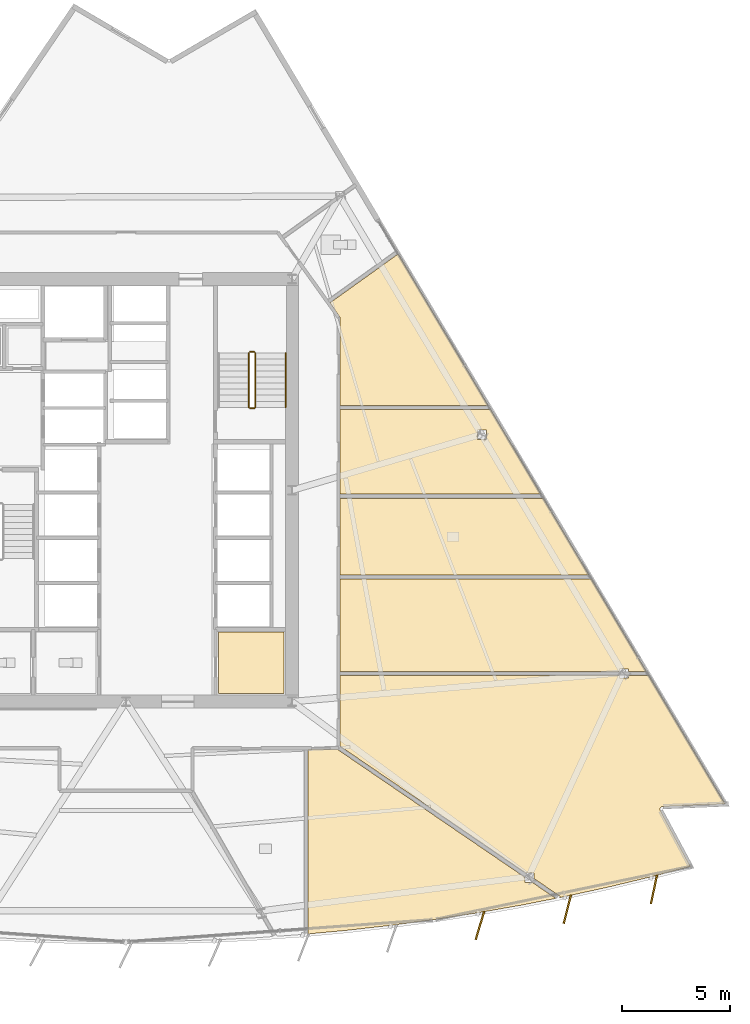
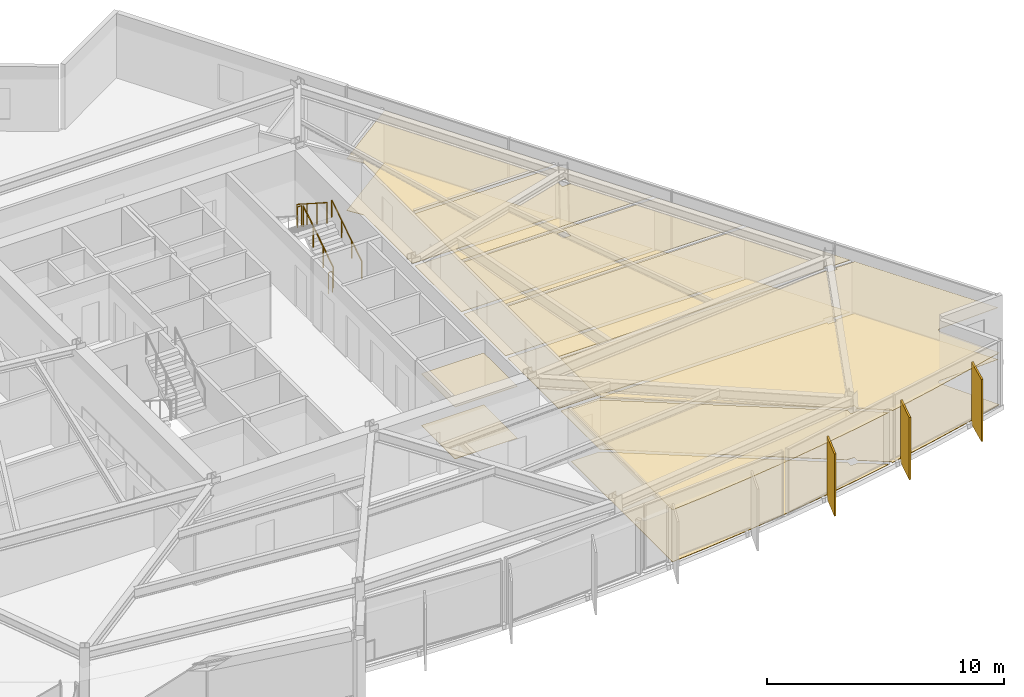
# One storey, part 13 of 15: 14 coverings, 5 railings, 3 shading devices.
"""IFC4 building model written with IfcOpenShell, lengths in metres."""

from ifc_helpers import new_model, si_unit, direction, frame, origin, origin_2d, place, context, subcontext, project, spatial, polyline, rectangle, circle, outline, extrude, material, layer, layer_set, type_object, element, save


model = new_model("IFC4")

# Units and contexts
model_context = context("Model", 3, precision=1e-05, world=origin(), true_north=direction((0.0, 1.0)))
body_context = subcontext(model_context, "Body", "Model", "MODEL_VIEW")
ifc_project = project(units=[si_unit("LENGTHUNIT", "METRE"), si_unit("AREAUNIT", "SQUARE_METRE"), si_unit("VOLUMEUNIT", "CUBIC_METRE"), si_unit("PLANEANGLEUNIT", "RADIAN"), si_unit("MASSUNIT", "GRAM", prefix="KILO")], contexts=[model_context])

# Site, building, storey
site_placement = place(None, origin())
site = spatial("IfcSite", under=ifc_project, at=site_placement, CompositionType="ELEMENT")
building_placement = place(site_placement, origin())
building = spatial("IfcBuilding", under=site, at=building_placement, Name="Savorim Split Tower", CompositionType="ELEMENT")
storey_placement = place(building_placement, frame((0.0, 0.0, 107.699951171875)))
storey = spatial("IfcBuildingStorey", under=building, at=storey_placement, Name="L28", CompositionType="ELEMENT", Elevation=107.699951171875)

# Coverings
ifc_material_1 = material(Name="Mineral Fibre Acoustic Ceiling")
ifc_layer_1 = layer(ifc_material_1, 0.02490234375)
ifc_layer_set_1 = layer_set([ifc_layer_1], Name="COV-CEIL-25")
covering_type_1 = type_object("IfcCoveringType", Name="COV-CEIL-25", PredefinedType="CEILING", material=ifc_layer_set_1)
covering_1_placement = place(storey_placement, frame((0.0, 0.0, 2.670166015625)))
element("IfcCovering", 1, at=covering_1_placement, inside=storey, type_object=covering_type_1, Name="L28 Core IT Server Room Acoustic Ceiling", PredefinedType="CEILING", context=body_context, shape_type="SweptSolid", body=[
    extrude(outline(polyline([(4.280029296875, -6.179931640625), (4.280029296875, -9.02001953125), (7.320068359375, -9.02001953125), (7.320068359375, -6.179931640625), (4.280029296875, -6.179931640625)])), origin(), (0.0, 0.0, 1.0), 0.02490234375),
])
covering_2_placement = place(storey_placement, frame((0.0, 0.0, 2.670166015625)))
element("IfcCovering", 2, at=covering_2_placement, inside=storey, type_object=covering_type_1, Name="L28 Quiet Study Room Acoustic Ceiling", PredefinedType="CEILING", context=body_context, shape_type="SweptSolid", body=[
    extrude(outline(polyline([(12.262939453125, -19.77734375), (14.2939453125, -19.505615234375), (16.318603515625, -19.1923828125), (18.336669921875, -18.837890625), (19.9326171875, -18.523681640625), (18.864013671875, -17.794189453125), (18.5, -17.794189453125), (18.5, -17.545654296875), (9.8427734375, -11.63623046875), (9.81298828125, -11.615966796875), (9.807373046875, -11.6171875), (9.793701171875, -11.619384765625), (9.780029296875, -11.6201171875), (8.443115234375, -11.6201171875), (8.443115234375, -20.17236328125), (10.22705078125, -20.007568359375), (12.262939453125, -19.77734375)])), origin(), (0.0, 0.0, 1.0), 0.02490234375),
])
covering_3_placement = place(storey_placement, frame((0.0, 0.0, 2.670166015625)))
element("IfcCovering", 3, at=covering_3_placement, inside=storey, type_object=covering_type_1, Name="L28 Quiet Study Room Acoustic Ceiling", PredefinedType="CEILING", context=body_context, shape_type="SweptSolid", body=[
    extrude(outline(polyline([(24.857421875, -14.2685546875), (24.86865234375, -14.2666015625), (24.880126953125, -14.265380859375), (27.78271484375, -14.141845703125), (24.22314453125, -8.15576171875), (24.22314453125, -8.188720703125), (23.3115234375, -8.188720703125), (23.3115234375, -8.311767578125), (22.885498046875, -8.311767578125), (22.885498046875, -8.188720703125), (9.919921875, -8.188720703125), (9.919921875, -11.458984375), (18.562255859375, -17.358154296875), (18.926025390625, -17.358154296875), (18.926025390625, -17.6064453125), (20.05908203125, -18.3798828125), (20.137451171875, -18.433349609375), (20.09814453125, -18.490966796875), (20.34716796875, -18.44189453125), (22.348876953125, -18.005126953125), (24.34130859375, -17.52734375), (26.177490234375, -17.04736328125), (24.779541015625, -14.44189453125), (24.7744140625, -14.431640625), (24.7705078125, -14.4208984375), (24.767578125, -14.40966796875), (24.765869140625, -14.398193359375), (24.76513671875, -14.38671875), (24.765625, -14.375), (24.76708984375, -14.36376953125), (24.769775390625, -14.352294921875), (24.7734375, -14.341552734375), (24.7783203125, -14.3310546875), (24.783935546875, -14.32080078125), (24.79052734375, -14.3115234375), (24.798095703125, -14.302734375), (24.806396484375, -14.294921875), (24.8154296875, -14.28759765625), (24.8251953125, -14.281494140625), (24.83544921875, -14.276123046875), (24.84619140625, -14.271728515625), (24.857421875, -14.2685546875)])), origin(), (0.0, 0.0, 1.0), 0.02490234375),
])
covering_4_placement = place(storey_placement, frame((0.0, 0.0, 2.670166015625)))
element("IfcCovering", 4, at=covering_4_placement, inside=storey, type_object=covering_type_1, Name="L28 Quiet Study Room Acoustic Ceiling", PredefinedType="CEILING", context=body_context, shape_type="SweptSolid", body=[
    extrude(outline(polyline([(23.3115234375, -7.875732421875), (23.3115234375, -7.998779296875), (24.128173828125, -7.998779296875), (24.1298828125, -7.998779296875), (21.581787109375, -3.713623046875), (9.919921875, -3.713623046875), (9.919921875, -7.998779296875), (22.885498046875, -7.998779296875), (22.885498046875, -7.875732421875), (23.3115234375, -7.875732421875)])), origin(), (0.0, 0.0, 1.0), 0.02490234375),
])
covering_5_placement = place(storey_placement, frame((0.0, 0.0, 2.670166015625)))
element("IfcCovering", 5, at=covering_5_placement, inside=storey, type_object=covering_type_1, Name="L28 Community Laundry Room Acoustic Ceiling", PredefinedType="CEILING", context=body_context, shape_type="SweptSolid", body=[
    extrude(outline(polyline([(21.46875, -3.523681640625), (19.355712890625, 0.0302734375), (9.919921875, 0.0302734375), (9.919921875, -3.523681640625), (21.46875, -3.523681640625)])), origin(), (0.0, 0.0, 1.0), 0.02490234375),
])
covering_6_placement = place(storey_placement, frame((0.0, 0.0, 2.670166015625)))
element("IfcCovering", 6, at=covering_6_placement, inside=storey, type_object=covering_type_1, Name="L28 Quiet Study Room Acoustic Ceiling", PredefinedType="CEILING", context=body_context, shape_type="SweptSolid", body=[
    extrude(outline(polyline([(19.24267578125, 0.22021484375), (16.912109375, 4.1396484375), (9.919921875, 4.1396484375), (9.919921875, 0.22021484375), (19.24267578125, 0.22021484375)]), holes=[polyline([(16.7294921875, 2.75732421875), (16.7294921875, 3.193359375), (16.3037109375, 3.193359375), (16.3037109375, 2.75732421875), (16.7294921875, 2.75732421875)])]), origin(), (0.0, 0.0, 1.0), 0.02490234375),
])
covering_7_placement = place(storey_placement, frame((0.0, 0.0, 2.670166015625)))
element("IfcCovering", 7, at=covering_7_placement, inside=storey, type_object=covering_type_1, Name="L28 Co-Living Bedroom Acoustic Ceiling", PredefinedType="CEILING", context=body_context, shape_type="SweptSolid", body=[
    extrude(outline(polyline([(9.9169921875, 8.4287109375), (9.919189453125, 8.41455078125), (9.919921875, 8.39990234375), (9.919921875, 4.32958984375), (16.799072265625, 4.32958984375), (12.61962890625, 11.3583984375), (9.456298828125, 9.092041015625), (9.893798828125, 8.4814453125), (9.901611328125, 8.46923828125), (9.908203125, 8.456298828125), (9.913330078125, 8.44287109375), (9.9169921875, 8.4287109375)])), origin(), (0.0, 0.0, 1.0), 0.02490234375),
])
ifc_material_2 = material(Name="Porcelain Stoneware Flooring", Category="masonry")
ifc_layer_2 = layer(ifc_material_2, 0.02001953125)
ifc_layer_set_2 = layer_set([ifc_layer_2], Name="COV-FLOR-20")
covering_type_2 = type_object("IfcCoveringType", Name="COV-FLOR-20", PredefinedType="FLOORING", material=ifc_layer_set_2)
covering_8_placement = place(storey_placement, origin())
element("IfcCovering", 8, at=covering_8_placement, inside=storey, type_object=covering_type_2, Name="L28 Core IT Server Room Porcelain Flooring", PredefinedType="FLOORING", context=body_context, shape_type="SweptSolid", body=[
    extrude(outline(polyline([(4.280029296875, -6.179931640625), (4.280029296875, -9.02001953125), (7.320068359375, -9.02001953125), (7.320068359375, -6.179931640625), (4.280029296875, -6.179931640625)])), origin(), (0.0, 0.0, 1.0), 0.02001953125),
])
covering_9_placement = place(storey_placement, origin())
element("IfcCovering", 9, at=covering_9_placement, inside=storey, type_object=covering_type_2, Name="L28 Quiet Study Room Porcelain Flooring", PredefinedType="FLOORING", context=body_context, shape_type="SweptSolid", body=[
    extrude(outline(polyline([(12.262939453125, -19.77734375), (14.2939453125, -19.505615234375), (16.318603515625, -19.1923828125), (18.336669921875, -18.837890625), (19.9326171875, -18.523681640625), (18.864013671875, -17.794189453125), (18.5, -17.794189453125), (18.5, -17.545654296875), (9.8427734375, -11.63623046875), (9.81298828125, -11.615966796875), (9.807373046875, -11.6171875), (9.793701171875, -11.619384765625), (9.780029296875, -11.6201171875), (8.443115234375, -11.6201171875), (8.443115234375, -20.17236328125), (10.22705078125, -20.007568359375), (12.262939453125, -19.77734375)])), origin(), (0.0, 0.0, 1.0), 0.02001953125),
])
covering_10_placement = place(storey_placement, origin())
element("IfcCovering", 10, at=covering_10_placement, inside=storey, type_object=covering_type_2, Name="L28 Quiet Study Room Porcelain Flooring", PredefinedType="FLOORING", context=body_context, shape_type="SweptSolid", body=[
    extrude(outline(polyline([(24.857421875, -14.2685546875), (24.86865234375, -14.2666015625), (24.880126953125, -14.265380859375), (27.78271484375, -14.141845703125), (24.22314453125, -8.15576171875), (24.22314453125, -8.188720703125), (23.3115234375, -8.188720703125), (23.3115234375, -8.311767578125), (22.885498046875, -8.311767578125), (22.885498046875, -8.188720703125), (9.919921875, -8.188720703125), (9.919921875, -11.458984375), (18.562255859375, -17.358154296875), (18.926025390625, -17.358154296875), (18.926025390625, -17.6064453125), (20.05908203125, -18.3798828125), (20.137451171875, -18.433349609375), (20.09814453125, -18.490966796875), (20.34716796875, -18.44189453125), (22.348876953125, -18.005126953125), (24.34130859375, -17.52734375), (26.177490234375, -17.04736328125), (24.779541015625, -14.44189453125), (24.7744140625, -14.431640625), (24.7705078125, -14.4208984375), (24.767578125, -14.40966796875), (24.765869140625, -14.398193359375), (24.76513671875, -14.38671875), (24.765625, -14.375), (24.76708984375, -14.36376953125), (24.769775390625, -14.352294921875), (24.7734375, -14.341552734375), (24.7783203125, -14.3310546875), (24.783935546875, -14.32080078125), (24.79052734375, -14.3115234375), (24.798095703125, -14.302734375), (24.806396484375, -14.294921875), (24.8154296875, -14.28759765625), (24.8251953125, -14.281494140625), (24.83544921875, -14.276123046875), (24.84619140625, -14.271728515625), (24.857421875, -14.2685546875)])), origin(), (0.0, 0.0, 1.0), 0.02001953125),
])
covering_11_placement = place(storey_placement, origin())
element("IfcCovering", 11, at=covering_11_placement, inside=storey, type_object=covering_type_2, Name="L28 Quiet Study Room Porcelain Flooring", PredefinedType="FLOORING", context=body_context, shape_type="SweptSolid", body=[
    extrude(outline(polyline([(23.3115234375, -7.875732421875), (23.3115234375, -7.998779296875), (24.128173828125, -7.998779296875), (24.1298828125, -7.998779296875), (21.581787109375, -3.713623046875), (9.919921875, -3.713623046875), (9.919921875, -7.998779296875), (22.885498046875, -7.998779296875), (22.885498046875, -7.875732421875), (23.3115234375, -7.875732421875)])), origin(), (0.0, 0.0, 1.0), 0.02001953125),
])
covering_12_placement = place(storey_placement, origin())
element("IfcCovering", 12, at=covering_12_placement, inside=storey, type_object=covering_type_2, Name="L28 Community Laundry Room Porcelain Flooring", PredefinedType="FLOORING", context=body_context, shape_type="SweptSolid", body=[
    extrude(outline(polyline([(21.46875, -3.523681640625), (19.355712890625, 0.0302734375), (9.919921875, 0.0302734375), (9.919921875, -3.523681640625), (21.46875, -3.523681640625)])), origin(), (0.0, 0.0, 1.0), 0.02001953125),
])
covering_13_placement = place(storey_placement, origin())
element("IfcCovering", 13, at=covering_13_placement, inside=storey, type_object=covering_type_2, Name="L28 Quiet Study Room Porcelain Flooring", PredefinedType="FLOORING", context=body_context, shape_type="SweptSolid", body=[
    extrude(outline(polyline([(19.24267578125, 0.22021484375), (16.912109375, 4.1396484375), (9.919921875, 4.1396484375), (9.919921875, 0.22021484375), (19.24267578125, 0.22021484375)]), holes=[polyline([(16.7294921875, 2.75732421875), (16.7294921875, 3.193359375), (16.3037109375, 3.193359375), (16.3037109375, 2.75732421875), (16.7294921875, 2.75732421875)])]), origin(), (0.0, 0.0, 1.0), 0.02001953125),
])
covering_14_placement = place(storey_placement, origin())
element("IfcCovering", 14, at=covering_14_placement, inside=storey, type_object=covering_type_2, Name="L28 Co-Living Bedroom Porcelain Flooring", PredefinedType="FLOORING", context=body_context, shape_type="SweptSolid", body=[
    extrude(outline(polyline([(9.9169921875, 8.4287109375), (9.919189453125, 8.41455078125), (9.919921875, 8.39990234375), (9.919921875, 4.32958984375), (16.799072265625, 4.32958984375), (12.61962890625, 11.3583984375), (9.456298828125, 9.092041015625), (9.893798828125, 8.4814453125), (9.901611328125, 8.46923828125), (9.908203125, 8.456298828125), (9.913330078125, 8.44287109375), (9.9169921875, 8.4287109375)])), origin(), (0.0, 0.0, 1.0), 0.02001953125),
])

# Railings
ifc_material_3 = material(Name="Galvanised Painted Steel Balustrade", Category="steel")
railing_type_1 = type_object("IfcRailingType", Name="RLG-HR-900", PredefinedType="HANDRAIL", material=ifc_material_3)
railing_1_placement = place(storey_placement, frame((7.39990234375, 4.25, 0.179931640625)))
element("IfcRailing", 15, at=railing_1_placement, inside=storey, type_object=railing_type_1, Name="L28 ST-2 stair handrail 1", PredefinedType="HANDRAIL", context=body_context, shape_type="SweptSolid", body=[
    extrude(circle(Radius=0.02392578125, at=origin_2d()), frame((0.0, 0.0, 0.8759765625), z_axis=(0.0, 0.841162588446, 0.540782303519), x_axis=(-1.0, 0.0, 0.0)), (0.0, 0.0, 1.0), 2.995849609375),
    extrude(circle(Radius=0.02099609375, at=origin_2d()), origin(), (0.0, 0.0, 1.0), 0.851806640625),
    extrude(circle(Radius=0.02099609375, at=origin_2d()), frame((0.0, 0.840087890625, 0.5400390625)), (0.0, 0.0, 1.0), 0.851806640625),
    extrude(circle(Radius=0.02099609375, at=origin_2d()), frame((0.0, 1.679931640625, 1.080078125)), (0.0, 0.0, 1.0), 0.851806640625),
    extrude(circle(Radius=0.02099609375, at=origin_2d()), frame((0.0, 2.52001953125, 1.6201171875)), (0.0, 0.0, 1.0), 0.851806640625),
])
railing_type_2 = type_object("IfcRailingType", Name="RLG-STG-1100", PredefinedType="BALUSTRADE", material=ifc_material_3)
railing_2_placement = place(storey_placement, frame((6.0, 4.25, 0.179931640625)))
element("IfcRailing", 16, at=railing_2_placement, inside=storey, type_object=railing_type_2, Name="L28 ST-2 stair guard 1", PredefinedType="BALUSTRADE", context=body_context, shape_type="SweptSolid", body=[
    extrude(circle(Radius=0.02392578125, at=origin_2d()), frame((0.0, 0.0, 1.076171875), z_axis=(0.0, 0.841162588446, 0.540782303519), x_axis=(-1.0, 0.0, 0.0)), (0.0, 0.0, 1.0), 2.995849609375),
    extrude(circle(Radius=0.02099609375, at=origin_2d()), origin(), (0.0, 0.0, 1.0), 1.052001953125),
    extrude(circle(Radius=0.02099609375, at=origin_2d()), frame((0.0, 0.840087890625, 0.5400390625)), (0.0, 0.0, 1.0), 1.052001953125),
    extrude(circle(Radius=0.02099609375, at=origin_2d()), frame((0.0, 1.679931640625, 1.080078125)), (0.0, 0.0, 1.0), 1.052001953125),
    extrude(circle(Radius=0.02099609375, at=origin_2d()), frame((0.0, 2.52001953125, 1.6201171875)), (0.0, 0.0, 1.0), 1.052001953125),
])
railing_3_placement = place(storey_placement, frame((5.949951171875, 6.820068359375, 1.800048828125)))
element("IfcRailing", 17, at=railing_3_placement, inside=storey, type_object=railing_type_2, Name="L28 ST-2 stair guard 2", PredefinedType="BALUSTRADE", context=body_context, shape_type="SweptSolid", body=[
    extrude(circle(Radius=0.02392578125, at=origin_2d()), frame((0.0, 0.0, 1.076171875), z_axis=(-1.0, 0.0, 0.0), x_axis=(0.0, -1.0, 0.0)), (0.0, 0.0, 1.0), 0.199951171875),
    extrude(circle(Radius=0.02099609375, at=origin_2d()), origin(), (0.0, 0.0, 1.0), 1.052001953125),
    extrude(circle(Radius=0.02099609375, at=origin_2d()), frame((-0.199951171875, 0.0, 0.0)), (0.0, 0.0, 1.0), 1.052001953125),
])
railing_4_placement = place(storey_placement, frame((5.699951171875, 6.77001953125, 1.97998046875)))
element("IfcRailing", 18, at=railing_4_placement, inside=storey, type_object=railing_type_2, Name="L28 ST-2 stair guard 3", PredefinedType="BALUSTRADE", context=body_context, shape_type="SweptSolid", body=[
    extrude(circle(Radius=0.02392578125, at=origin_2d()), frame((0.0, 0.0, 1.076171875), z_axis=(0.0, -0.841162588446, 0.540782303519), x_axis=(1.0, 0.0, 0.0)), (0.0, 0.0, 1.0), 2.995849609375),
    extrude(circle(Radius=0.02099609375, at=origin_2d()), origin(), (0.0, 0.0, 1.0), 1.052001953125),
    extrude(circle(Radius=0.02099609375, at=origin_2d()), frame((0.0, -0.840087890625, 0.5400390625)), (0.0, 0.0, 1.0), 1.052001953125),
    extrude(circle(Radius=0.02099609375, at=origin_2d()), frame((0.0, -1.679931640625, 1.080078125)), (0.0, 0.0, 1.0), 1.052001953125),
    extrude(circle(Radius=0.02099609375, at=origin_2d()), frame((0.0, -2.52001953125, 1.6201171875)), (0.0, 0.0, 1.0), 1.052001953125),
])
railing_5_placement = place(storey_placement, frame((5.949951171875, 4.199951171875, 0.0)))
element("IfcRailing", 19, at=railing_5_placement, inside=storey, type_object=railing_type_2, Name="L28 ST-2 stair guard 4", PredefinedType="BALUSTRADE", context=body_context, shape_type="SweptSolid", body=[
    extrude(circle(Radius=0.02392578125, at=origin_2d()), frame((0.0, 0.0, 1.076171875), z_axis=(-1.0, 0.0, 0.0), x_axis=(0.0, -1.0, 0.0)), (0.0, 0.0, 1.0), 0.199951171875),
    extrude(circle(Radius=0.02099609375, at=origin_2d()), origin(), (0.0, 0.0, 1.0), 1.052001953125),
    extrude(circle(Radius=0.02099609375, at=origin_2d()), frame((-0.199951171875, 0.0, 0.0)), (0.0, 0.0, 1.0), 1.052001953125),
])

# Shading devices
ifc_material_4 = material(Name="Terracotta Ceramic-Coated Aluminium Fin", Category="masonry")
shading_device_type = type_object("IfcShadingDeviceType", Name="SHD-FIN-1360", PredefinedType="USERDEFINED", material=ifc_material_4)
for number, where, z_axis, x_axis, name in (
    (20, (16.415771484375, -19.780517578125, -0.19970703125), (0.0, 0.0, 1.0), (-0.286026212504, -0.958221793616, 0.0), "L28 Sawtooth Shading Fin 11"),
    (21, (20.46826171875, -19.025634765625, -0.19970703125), (0.0, 0.0, 1.0), (-0.246581250663, -0.969122121727, 0.0), "L28 Sawtooth Shading Fin 12"),
    (22, (24.486328125, -18.105712890625, -0.19970703125), (0.0, 0.0, 1.0), (-0.206721626106, -0.978399800337, 0.0), "L28 Sawtooth Shading Fin 13"),
):
    element("IfcShadingDevice", number, at=place(storey_placement, frame(where, z_axis=z_axis, x_axis=x_axis)), inside=storey, type_object=shading_device_type, Name=name, ObjectType="FIN", PredefinedType="USERDEFINED", context=body_context, shape_type="SweptSolid", body=[
        extrude(rectangle(XDim=1.360107421875, YDim=0.080078125, at=origin_2d()), origin(), (0.0, 0.0, 1.0), 3.199951171875),
    ])

save(model, "model.ifc")
